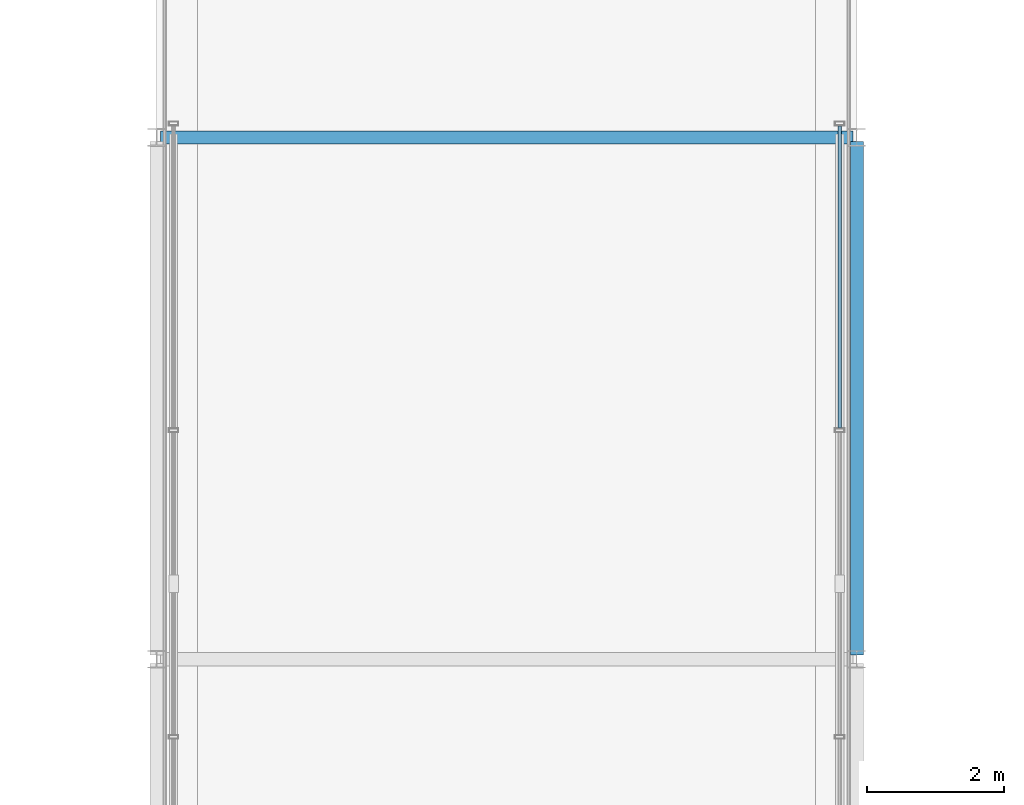
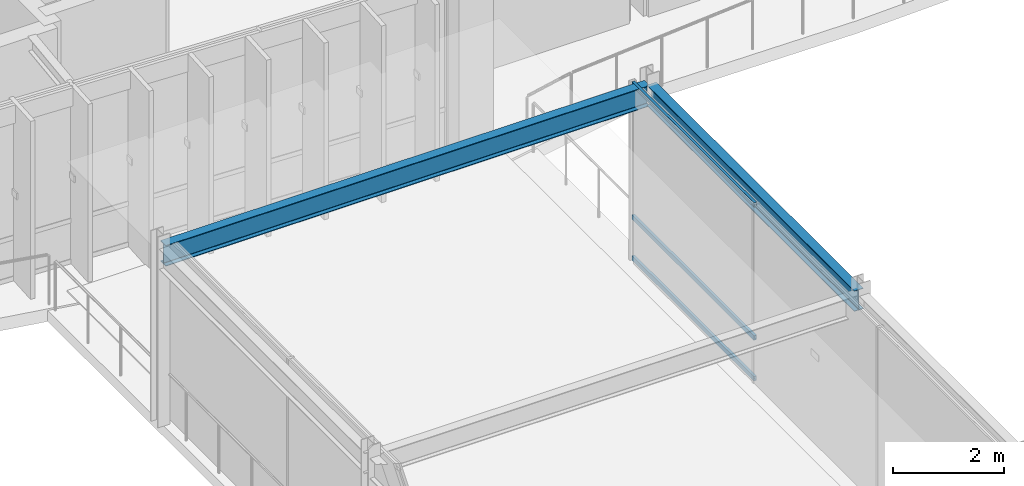
# One storey, part 37 of 152: 3 members, 2 beams, 1 element without a shape of its own.
"""IFC4 building model written with IfcOpenShell, lengths in metres."""

from ifc_helpers import new_model, si_unit, direction, frame, origin, origin_2d, place, context, subcontext, project, spatial, hollow_rectangle, i_section, extrude, material, material_profile, profile_set, type_object, element, aggregate, save


model = new_model("IFC4")

# Units and contexts
model_context = context("Model", 3, precision=1e-05, world=origin(), true_north=direction((0.0, 1.0)))
body_context = subcontext(model_context, "Body", "Model", "MODEL_VIEW")
ifc_project = project(units=[si_unit("LENGTHUNIT", "METRE"), si_unit("AREAUNIT", "SQUARE_METRE"), si_unit("VOLUMEUNIT", "CUBIC_METRE"), si_unit("PLANEANGLEUNIT", "RADIAN"), si_unit("MASSUNIT", "GRAM", prefix="KILO"), si_unit("THERMODYNAMICTEMPERATUREUNIT", "KELVIN"), si_unit("POWERUNIT", "WATT")], contexts=[model_context])

# Site, building, storey
site_placement = place(None, origin())
site = spatial("IfcSite", under=ifc_project, at=site_placement, CompositionType="ELEMENT")
building_placement = place(site_placement, origin())
building = spatial("IfcBuilding", under=site, at=building_placement, Name="Darbajah Civic Hall", CompositionType="ELEMENT")
storey_placement = place(building_placement, frame((0.0, 0.0, 5.39990234375)))
storey = spatial("IfcBuildingStorey", under=building, at=storey_placement, Name="L01", CompositionType="ELEMENT", Elevation=5.39990234375)

# Curtain wall, members
ifc_material_1 = material(Name="Anodised Bronze Aluminium and Low-E Glazing", Category="aluminium")
curtain_wall_type = type_object("IfcCurtainWallType", Name="Unitised Curtain Wall CW-104 13400x3950", PredefinedType="USERDEFINED", material=ifc_material_1)
curtain_wall_placement = place(storey_placement, origin())
curtain_wall = element("IfcCurtainWall", 1, at=curtain_wall_placement, inside=storey, type_object=curtain_wall_type, Name="L01 unitised curtain wall CW-V6-PE-L01", ObjectType="UNITISED CURTAIN WALL", PredefinedType="USERDEFINED")
ifc_material_2 = material(Name="Anodised Bronze Aluminium", Category="aluminium")
ifc_material_profile_1 = material_profile(ifc_material_2, hollow_rectangle(XDim=0.054931640625, YDim=0.10009765625, WallThickness=0.0029296875, at=origin_2d()), Name="ALU TRANSOM 55x100")
ifc_profile_set_1 = profile_set([ifc_material_profile_1], Name="Anodised Bronze Aluminium")
member_type = type_object("IfcMemberType", Name="ALU TRANSOM 55x100", PredefinedType="USERDEFINED", material=ifc_profile_set_1)
member_1_placement = place(storey_placement, frame((93.949951171875, 51.36572265625, 0.050048828125), z_axis=(0.0, 1.0, 0.0), x_axis=(-1.0, 0.0, 0.0)))
member_1 = element("IfcMember", 2, at=member_1_placement, type_object=member_type, Name="CW-V6-PE-L01 transom 3.1", ObjectType="TRANSOM", PredefinedType="USERDEFINED", context=body_context, shape_type="SweptSolid", body=[
    extrude(hollow_rectangle(XDim=0.054931640625, YDim=0.10009765625, WallThickness=0.0029296875, at=origin_2d()), origin(), (0.0, 0.0, 1.0), 4.40185546875),
])
member_2_placement = place(storey_placement, frame((93.949951171875, 51.36572265625, 0.9501953125), z_axis=(0.0, 1.0, 0.0), x_axis=(-1.0, 0.0, 0.0)))
member_2 = element("IfcMember", 3, at=member_2_placement, type_object=member_type, Name="CW-V6-PE-L01 transom 3.2", ObjectType="TRANSOM", PredefinedType="USERDEFINED", context=body_context, shape_type="SweptSolid", body=[
    extrude(hollow_rectangle(XDim=0.054931640625, YDim=0.10009765625, WallThickness=0.0029296875, at=origin_2d()), origin(), (0.0, 0.0, 1.0), 4.40185546875),
])
member_3_placement = place(storey_placement, frame((93.949951171875, 51.36572265625, 3.880126953125), z_axis=(0.0, 1.0, 0.0), x_axis=(-1.0, 0.0, 0.0)))
member_3 = element("IfcMember", 4, at=member_3_placement, type_object=member_type, Name="CW-V6-PE-L01 transom 3.3", ObjectType="TRANSOM", PredefinedType="USERDEFINED", context=body_context, shape_type="SweptSolid", body=[
    extrude(hollow_rectangle(XDim=0.054931640625, YDim=0.10009765625, WallThickness=0.0029296875, at=origin_2d()), origin(), (0.0, 0.0, 1.0), 4.40185546875),
])
aggregate(curtain_wall, [member_1, member_2, member_3])

# Beams
ifc_material_3 = material(Name="Steel S355JR", Category="steel")
ifc_material_profile_2 = material_profile(ifc_material_3, i_section(OverallWidth=0.1904296875, OverallDepth=0.45703125, WebThickness=0.009033203125, FlangeThickness=0.014404296875, FilletRadius=0.01025390625, at=origin_2d()), Name="UB 457x191x74")
ifc_profile_set_2 = profile_set([ifc_material_profile_2], Name="Steel S355JR")
beam_type = type_object("IfcBeamType", Name="UB 457x191x74", PredefinedType="BEAM", material=ifc_profile_set_2)
beam_1_placement = place(storey_placement, frame((84.06005859375, 55.60009765625, 3.70166015625), z_axis=(1.0, 0.0, 0.0), x_axis=(0.0, 1.0, 0.0)))
element("IfcBeam", 5, at=beam_1_placement, inside=storey, type_object=beam_type, Name="L01 beam SB-457", PredefinedType="BEAM", context=body_context, shape_type="SweptSolid", body=[
    extrude(i_section(OverallWidth=0.1904296875, OverallDepth=0.45703125, WebThickness=0.009033203125, FlangeThickness=0.014404296875, FilletRadius=0.01025390625, at=origin_2d()), origin(), (0.0, 0.0, 1.0), 10.079833984375),
])
beam_2_placement = place(storey_placement, frame((94.199951171875, 48.06005859375, 3.70166015625), z_axis=(0.0, 1.0, 0.0), x_axis=(-1.0, 0.0, 0.0)))
element("IfcBeam", 6, at=beam_2_placement, inside=storey, type_object=beam_type, Name="L01 beam SB-457", PredefinedType="BEAM", context=body_context, shape_type="SweptSolid", body=[
    extrude(i_section(OverallWidth=0.1904296875, OverallDepth=0.45703125, WebThickness=0.009033203125, FlangeThickness=0.014404296875, FilletRadius=0.01025390625, at=origin_2d()), origin(), (0.0, 0.0, 1.0), 7.47998046875),
])

save(model, "model.ifc")
